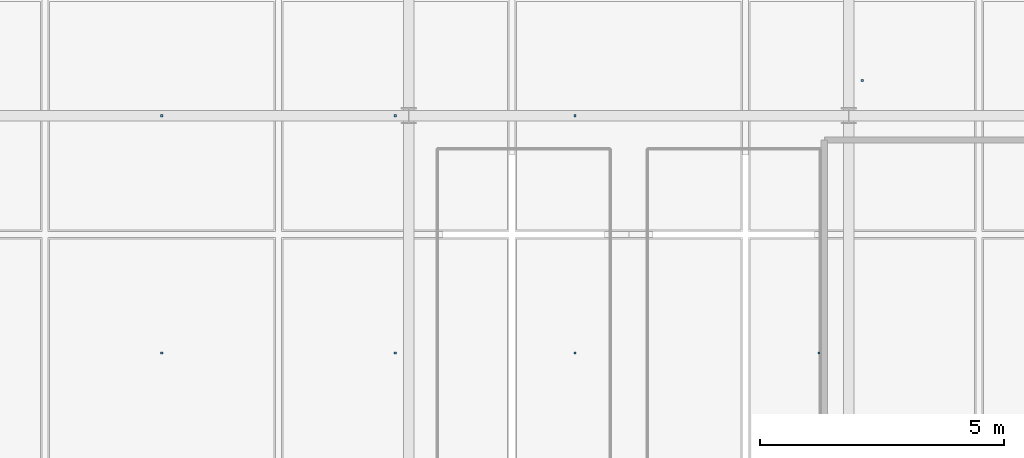
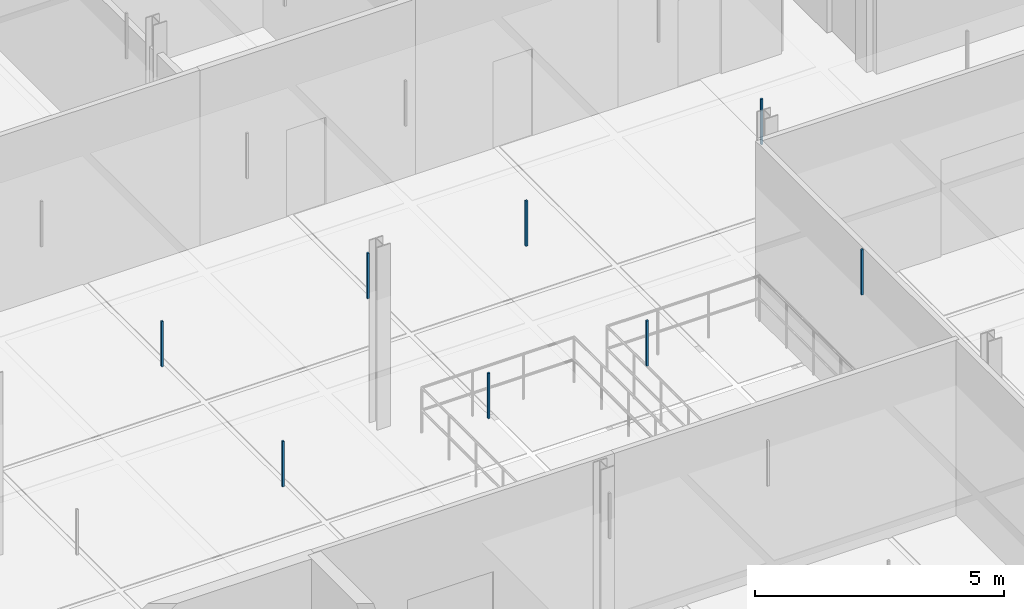
# One storey, part 57 of 89: 8 discrete accessories.
"""IFC4 building model written with IfcOpenShell, lengths in metres."""

from ifc_helpers import new_model, si_unit, direction, frame, origin, origin_2d, place, context, subcontext, project, spatial, rectangle, extrude, material, type_object, element, save


model = new_model("IFC4")

# Units and contexts
model_context = context("Model", 3, precision=1e-05, world=origin(), true_north=direction((0.0, 1.0)))
body_context = subcontext(model_context, "Body", "Model", "MODEL_VIEW")
ifc_project = project(units=[si_unit("LENGTHUNIT", "METRE"), si_unit("AREAUNIT", "SQUARE_METRE"), si_unit("VOLUMEUNIT", "CUBIC_METRE"), si_unit("PLANEANGLEUNIT", "RADIAN"), si_unit("MASSUNIT", "GRAM", prefix="KILO"), si_unit("THERMODYNAMICTEMPERATUREUNIT", "KELVIN"), si_unit("POWERUNIT", "WATT")], contexts=[model_context])

# Site, building, storey
site_placement = place(None, origin())
site = spatial("IfcSite", under=ifc_project, at=site_placement, CompositionType="ELEMENT")
building_placement = place(site_placement, origin())
building = spatial("IfcBuilding", under=site, at=building_placement, Name="Tallowbark Science Centre", CompositionType="ELEMENT")
storey_placement = place(building_placement, frame((0.0, 0.0, 14.39990234375)))
storey = spatial("IfcBuildingStorey", under=building, at=storey_placement, Name="L03", CompositionType="ELEMENT", Elevation=14.39990234375)

# Discrete accessories
ifc_material = material(Name="Galvanised Steel Grade C350L0 (350 MPa)", Category="steel")
discrete_accessory_type = type_object("IfcDiscreteAccessoryType", Name="ACC-CLG-HNG", PredefinedType="BRACKET", material=ifc_material)
for number, where, z_axis, x_axis, name in (
    (1, (71.4443359375, 17.642822265625, 3.20947265625), (0.0, 0.0, 1.0), (1.0, 0.0, 0.0), "Ceiling Hanger Bracket L03-956"),
    (2, (71.4443359375, 22.5, 3.20947265625), (0.0, 0.0, 1.0), (1.0, 0.0, 0.0), "Ceiling Hanger Bracket L03-957"),
    (3, (76.22216796875, 17.642822265625, 3.20947265625), (0.0, 0.0, 1.0), (1.0, 0.0, 0.0), "Ceiling Hanger Bracket L03-963"),
    (4, (76.22216796875, 22.5, 3.20947265625), (0.0, 0.0, 1.0), (1.0, 0.0, 0.0), "Ceiling Hanger Bracket L03-964"),
    (5, (79.900390625, 17.642822265625, 3.20947265625), (0.0, 0.0, 1.0), (1.0, 0.0, 0.0), "Ceiling Hanger Bracket L03-970"),
    (6, (79.900390625, 22.5, 3.20947265625), (0.0, 0.0, 1.0), (1.0, 0.0, 0.0), "Ceiling Hanger Bracket L03-971"),
    (7, (84.889404296875, 17.642822265625, 3.20947265625), (0.0, 0.0, 1.0), (1.0, 0.0, 0.0), "Ceiling Hanger Bracket L03-977"),
    (8, (85.77783203125, 23.21923828125, 3.20947265625), (0.0, 0.0, 1.0), (1.0, 0.0, 0.0), "Ceiling Hanger Bracket L03-978"),
):
    element("IfcDiscreteAccessory", number, at=place(storey_placement, frame(where, z_axis=z_axis, x_axis=x_axis)), inside=storey, type_object=discrete_accessory_type, Name=name, PredefinedType="BRACKET", context=body_context, shape_type="SweptSolid", body=[
        extrude(rectangle(XDim=0.044921875, YDim=0.044921875, at=origin_2d()), origin(), (0.0, 0.0, 1.0), 1.113525390625),
    ])

save(model, "model.ifc")
